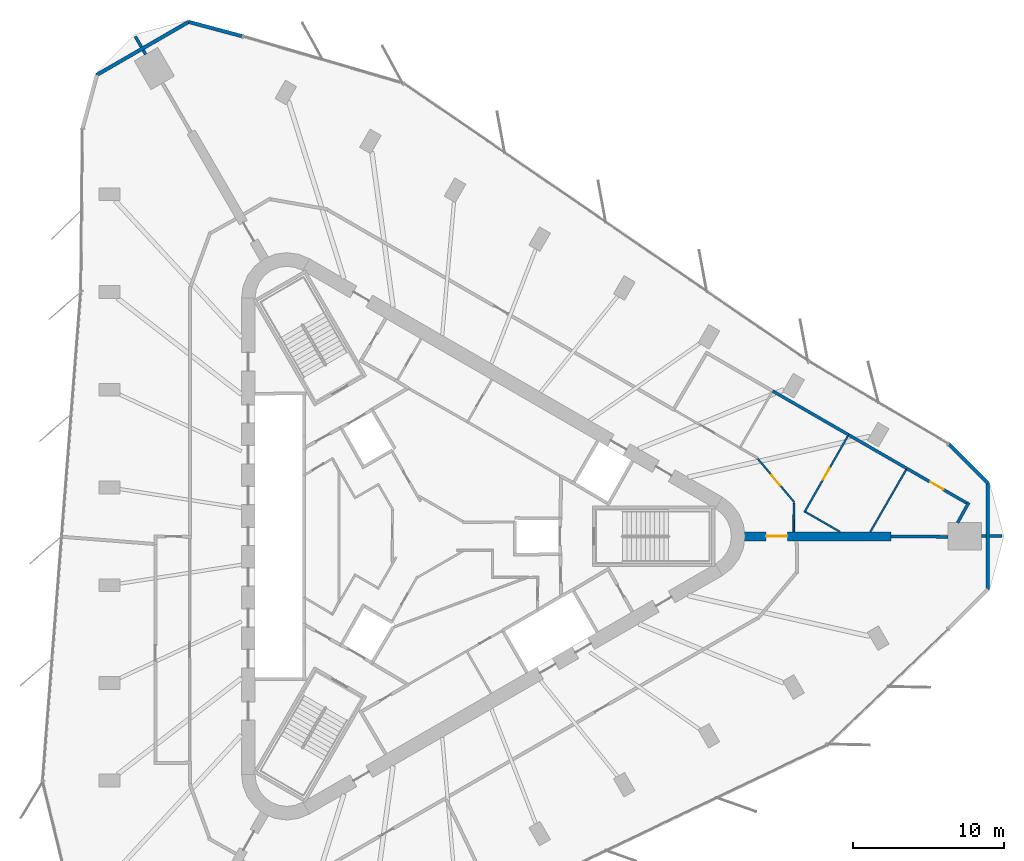
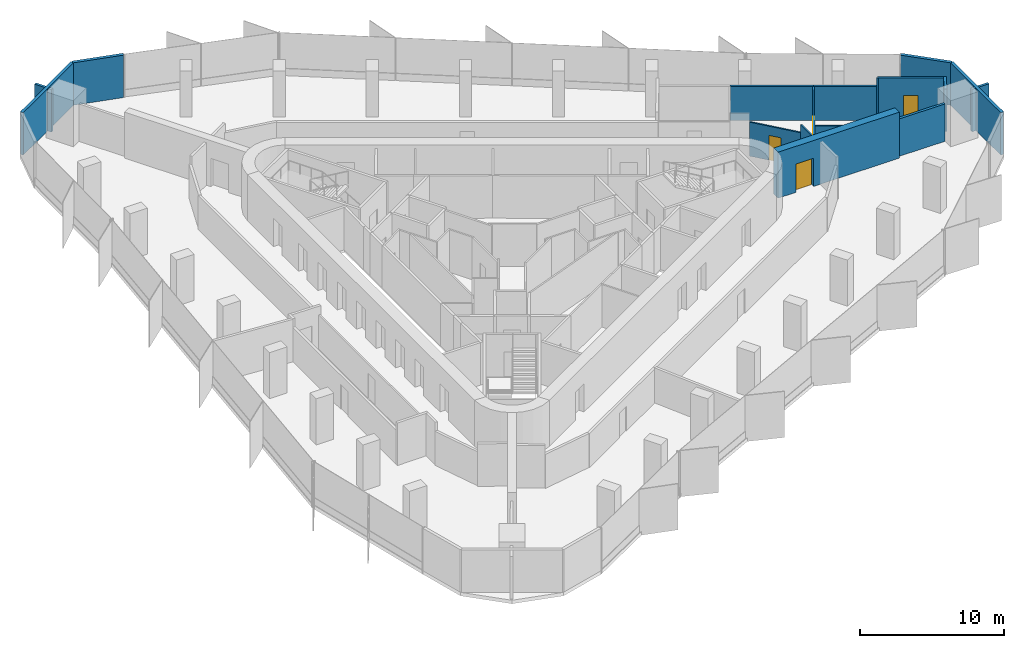
# One storey, part 12 of 14: 19 walls, 4 doors, 4 openings.
"""IFC4 building model written with IfcOpenShell, lengths in metres."""

from ifc_helpers import new_model, si_unit, direction, frame, frame_2d, origin, place, context, subcontext, project, spatial, rectangle, extrude, material, layer, layer_set, type_object, element, fill, save


model = new_model("IFC4")

# Units and contexts
model_context = context("Model", 3, precision=1e-05, world=origin(), true_north=direction((0.0, 1.0)))
body_context = subcontext(model_context, "Body", "Model", "MODEL_VIEW")
ifc_project = project(units=[si_unit("LENGTHUNIT", "METRE"), si_unit("AREAUNIT", "SQUARE_METRE"), si_unit("VOLUMEUNIT", "CUBIC_METRE"), si_unit("PLANEANGLEUNIT", "RADIAN"), si_unit("MASSUNIT", "GRAM", prefix="KILO")], contexts=[model_context])

# Site, building, storey
site_placement = place(None, origin())
site = spatial("IfcSite", under=ifc_project, at=site_placement, CompositionType="ELEMENT")
building_placement = place(site_placement, origin())
building = spatial("IfcBuilding", under=site, at=building_placement, Name="Tanit Gate Tower", CompositionType="ELEMENT")
storey_placement = place(building_placement, frame((0.0, 0.0, 306.5)))
storey = spatial("IfcBuildingStorey", under=building, at=storey_placement, Name="L68", CompositionType="ELEMENT", Elevation=306.5)

# Wall, opening, door
ifc_material_1 = material(Name="Concrete C40/50", Category="concrete")
ifc_layer_1 = layer(ifc_material_1, 0.60009765625)
ifc_layer_set_1 = layer_set([ifc_layer_1], Name="BUTTRESS FIN 600 C40/50")
wall_type_1 = type_object("IfcWallType", Name="BUTTRESS FIN 600 C40/50", PredefinedType="SHEAR", material=ifc_layer_set_1)
wall_1_placement = place(storey_placement, frame((21.14990234375, 0.0, 0.0), z_axis=(0.0, 0.0, 1.0), x_axis=(1.0, 0.0, 0.0)))
wall_1 = element("IfcWall", 1, at=wall_1_placement, inside=storey, type_object=wall_type_1, Name="BUTTRESS FIN", PredefinedType="SHEAR", context=body_context, shape_type="SweptSolid", body=[
    extrude(rectangle(XDim=9.72021484375, YDim=0.60009765625, at=frame_2d((4.860107421875, 0.0))), origin(), (0.0, 0.0, 1.0), 3.89990234375),
])
opening_1_placement = place(wall_1_placement, frame((1.449951171875, 0.0, 0.0)))
opening_1 = element("IfcOpeningElement", 2, at=opening_1_placement, cuts=wall_1, Name="Opening P14-S18-F-E-1", PredefinedType="OPENING", context=body_context, shape_type="SweptSolid", body=[
    extrude(rectangle(XDim=1.39990234375, YDim=2.39990234375, at=frame_2d((0.699951171875, 1.199951171875))), frame((0.0, 0.31005859375, 0.0), z_axis=(0.0, -1.0, 0.0), x_axis=(1.0, 0.0, 0.0)), (0.0, 0.0, 1.0), 0.6201171875),
])
ifc_material_2 = material(Name="Timber door leaf", Category="wood")
door_type_1 = type_object("IfcDoorType", Name="INT-DOOR-FIN-PAIR-1400", OperationType="NOTDEFINED", PredefinedType="NOTDEFINED", material=ifc_material_2)
door_1_placement = place(opening_1_placement, origin())
door_1 = element("IfcDoor", 3, at=door_1_placement, inside=storey, type_object=door_type_1, Name="Door P14-S18-F-E-1", OperationType="DOUBLE_DOOR_SINGLE_SWING", OverallHeight=2.39990234375, OverallWidth=1.39990234375, PredefinedType="NOTDEFINED", context=body_context, shape_type="SweptSolid", body=[
    extrude(rectangle(XDim=1.39990234375, YDim=2.39990234375, at=frame_2d((0.699951171875, 1.199951171875))), frame((0.0, 0.02490234375, 0.0), z_axis=(0.0, -1.0, 0.0), x_axis=(1.0, 0.0, 0.0)), (0.0, 0.0, 1.0), 0.050048828125),
])
fill(opening_1, door_1)

# Walls
ifc_material_3 = material(Name="Concrete C30/37 with bronze anodised aluminium cladding", Category="concrete")
ifc_layer_2 = layer(ifc_material_3, 0.239990234375)
ifc_layer_set_2 = layer_set([ifc_layer_2], Name="Facade wall bronze clad 240")
wall_type_2 = type_object("IfcWallType", Name="Facade wall bronze clad 240", PredefinedType="SOLIDWALL", material=ifc_layer_set_2)
wall_2_placement = place(storey_placement, frame((-12.057373046875, 33.079833984375, 0.0), z_axis=(0.0, 0.0, 1.0), x_axis=(-0.965923355737, 0.258828265153, 0.0)))
element("IfcWall", 4, at=wall_2_placement, inside=storey, type_object=wall_type_2, Name="Bronze-clad facade wall L68 NW.arc1", PredefinedType="SOLIDWALL", context=body_context, shape_type="SweptSolid", body=[
    extrude(rectangle(XDim=3.66259765625, YDim=0.239990234375, at=frame_2d((1.831298828125, 0.0))), origin(), (0.0, 0.0, 1.0), 3.60009765625),
])
for number, where, z_axis, x_axis, name in (
    (5, (-15.59521484375, 34.02783203125, 0.0), (0.0, 0.0, 1.0), (-0.866026812589, -0.499997559872, 0.0), "Bronze-clad facade wall L68 NW.arc2"),
    (6, (37.2666015625, -3.508056640625, 0.0), (0.0, 0.0, 1.0), (0.0, 1.0, 0.0), "Bronze-clad facade wall L68 E.arc2"),
):
    element("IfcWall", number, at=place(storey_placement, frame(where, z_axis=z_axis, x_axis=x_axis)), inside=storey, type_object=wall_type_2, Name=name, PredefinedType="SOLIDWALL", context=body_context, shape_type="SweptSolid", body=[
        extrude(rectangle(XDim=7.01611328125, YDim=0.239990234375, at=frame_2d((3.508056640625, 0.0))), origin(), (0.0, 0.0, 1.0), 3.60009765625),
    ])
wall_3_placement = place(storey_placement, frame((37.2666015625, 3.508056640625, 0.0), z_axis=(0.0, 0.0, 1.0), x_axis=(-0.707106781187, 0.707106781187, 0.0)))
element("IfcWall", 7, at=wall_3_placement, inside=storey, type_object=wall_type_2, Name="Bronze-clad facade wall L68 E.arc3", PredefinedType="SOLIDWALL", context=body_context, shape_type="SweptSolid", body=[
    extrude(rectangle(XDim=3.648681640625, YDim=0.239990234375, at=frame_2d((1.82421875, 0.0))), origin(), (0.0, 0.0, 1.0), 3.60009765625),
])
ifc_material_4 = material(Name="Fire-rated gypsum board partition")
ifc_layer_3 = layer(ifc_material_4, 0.199951171875)
ifc_layer_set_3 = layer_set([ifc_layer_3], Name="INT-WALL-COMPARTMENT")
wall_type_3 = type_object("IfcWallType", Name="INT-WALL-COMPARTMENT", PredefinedType="PARTITIONING", material=ifc_layer_set_3)
wall_4_placement = place(storey_placement, frame((-19.125244140625, 33.06591796875, 0.0), z_axis=(0.0, 0.0, 1.0), x_axis=(0.500052144805, -0.865995295874, 0.0)))
element("IfcWall", 8, at=wall_4_placement, inside=storey, type_object=wall_type_3, Name="Wall Compartment W115", PredefinedType="PARTITIONING", context=body_context, shape_type="SweptSolid", body=[
    extrude(rectangle(XDim=0.81201171875, YDim=0.199951171875, at=frame_2d((0.406005859375, 0.0))), origin(), (0.0, 0.0, 1.0), 3.60009765625),
])
for number, where, z_axis, x_axis, name in (
    (9, (-18.599365234375, 32.15478515625, 0.0), (0.0, 0.0, 1.0), (0.500213193091, -0.865902281703, 0.0), "Wall Compartment W115x1"),
    (10, (36.830810546875, 0.030029296875, 0.0), (0.0, 0.0, 1.0), (1.0, 0.0, 0.0), "Wall Compartment W117"),
):
    element("IfcWall", number, at=place(storey_placement, frame(where, z_axis=z_axis, x_axis=x_axis)), inside=storey, type_object=wall_type_3, Name=name, PredefinedType="PARTITIONING", context=body_context, shape_type="SweptSolid", body=[
        extrude(rectangle(XDim=0.315673828125, YDim=0.199951171875, at=frame_2d((0.15771484375, 0.0))), origin(), (0.0, 0.0, 1.0), 3.60009765625),
    ])
wall_5_placement = place(storey_placement, frame((37.386474609375, 0.030029296875, 0.0), z_axis=(0.0, 0.0, 1.0), x_axis=(1.0, 0.0, 0.0)))
element("IfcWall", 11, at=wall_5_placement, inside=storey, type_object=wall_type_3, Name="Wall Compartment W117x1", PredefinedType="PARTITIONING", context=body_context, shape_type="SweptSolid", body=[
    extrude(rectangle(XDim=0.81201171875, YDim=0.199951171875, at=frame_2d((0.406005859375, 0.0))), origin(), (0.0, 0.0, 1.0), 3.60009765625),
])

# Wall, opening, door
wall_6_placement = place(storey_placement, frame((35.8662109375, 2.201904296875, 0.0), z_axis=(0.0, 0.0, 1.0), x_axis=(-0.866027379035, 0.49999657875, 0.0)))
wall_6 = element("IfcWall", 12, at=wall_6_placement, inside=storey, type_object=wall_type_3, Name="Wall Compartment W123", PredefinedType="PARTITIONING", context=body_context, shape_type="SweptSolid", body=[
    extrude(rectangle(XDim=4.57421875, YDim=0.199951171875, at=frame_2d((2.287109375, 0.0))), origin(), (0.0, 0.0, 1.0), 3.60009765625),
])
opening_2_placement = place(wall_6_placement, frame((1.787109375, 0.0, 0.0)))
opening_2 = element("IfcOpeningElement", 13, at=opening_2_placement, cuts=wall_6, Name="Opening F10-S18-25", PredefinedType="OPENING", context=body_context, shape_type="SweptSolid", body=[
    extrude(rectangle(XDim=1.0, YDim=2.10009765625, at=frame_2d((0.5, 1.050048828125))), frame((0.0, 0.10986328125, 0.0), z_axis=(0.0, -1.0, 0.0), x_axis=(1.0, 0.0, 0.0)), (0.0, 0.0, 1.0), 0.219970703125),
])
ifc_material_5 = material(Name="Fire-rated steel door leaf", Category="steel")
door_type_2 = type_object("IfcDoorType", Name="INT-DOOR-FIRE-1000", OperationType="NOTDEFINED", PredefinedType="USERDEFINED", material=ifc_material_5)
door_2_placement = place(opening_2_placement, origin())
door_2 = element("IfcDoor", 14, at=door_2_placement, inside=storey, type_object=door_type_2, Name="Door F10-S18-25", ObjectType="FIRE DOOR", OperationType="SINGLE_SWING_LEFT", OverallHeight=2.10009765625, OverallWidth=1.0, PredefinedType="USERDEFINED", context=body_context, shape_type="SweptSolid", body=[
    extrude(rectangle(XDim=1.0, YDim=2.10009765625, at=frame_2d((0.5, 1.050048828125))), frame((0.0, 0.02490234375, 0.0), z_axis=(0.0, -1.0, 0.0), x_axis=(1.0, 0.0, 0.0)), (0.0, 0.0, 1.0), 0.050048828125),
])
fill(opening_2, door_2)

# Walls
wall_7_placement = place(storey_placement, frame((31.90478515625, 4.489013671875, 0.0), z_axis=(0.0, 0.0, 1.0), x_axis=(-0.866013897511, 0.50001992892, 0.0)))
element("IfcWall", 15, at=wall_7_placement, inside=storey, type_object=wall_type_3, Name="Wall Compartment W121", PredefinedType="PARTITIONING", context=body_context, shape_type="SweptSolid", body=[
    extrude(rectangle(XDim=4.451904296875, YDim=0.199951171875, at=frame_2d((2.22607421875, 0.0))), origin(), (0.0, 0.0, 1.0), 2.8798828125),
])
wall_8_placement = place(storey_placement, frame((28.04931640625, 6.715087890625, 0.0), z_axis=(0.0, 0.0, 1.0), x_axis=(-0.866036157057, 0.499981374323, 0.0)))
element("IfcWall", 16, at=wall_8_placement, inside=storey, type_object=wall_type_3, Name="Wall Compartment W120", PredefinedType="PARTITIONING", context=body_context, shape_type="SweptSolid", body=[
    extrude(rectangle(XDim=5.795166015625, YDim=0.199951171875, at=frame_2d((2.8974609375, 0.0))), origin(), (0.0, 0.0, 1.0), 2.8798828125),
])
wall_9_placement = place(storey_placement, frame((35.2646484375, 0.89990234375, 0.0), z_axis=(0.0, 0.0, 1.0), x_axis=(0.48169188717, 0.876340644861, 0.0)))
element("IfcWall", 17, at=wall_9_placement, inside=storey, type_object=wall_type_3, Name="Wall Compartment W122", PredefinedType="PARTITIONING", context=body_context, shape_type="SweptSolid", body=[
    extrude(rectangle(XDim=1.528564453125, YDim=0.199951171875, at=frame_2d((0.76416015625, 0.0))), origin(), (0.0, 0.0, 1.0), 3.60009765625),
])
wall_10_placement = place(storey_placement, frame((34.630615234375, -0.030029296875, 0.0), z_axis=(0.0, 0.0, 1.0), x_axis=(-0.999984049016, 0.005648160246, 0.0)))
element("IfcWall", 18, at=wall_10_placement, inside=storey, type_object=wall_type_3, Name="Wall Compartment W125", PredefinedType="PARTITIONING", context=body_context, shape_type="SweptSolid", body=[
    extrude(rectangle(XDim=3.760498046875, YDim=0.199951171875, at=frame_2d((1.88037109375, 0.0))), origin(), (0.0, 0.0, 1.0), 3.169921875),
])

# Wall, opening, door
ifc_material_6 = material(Name="Gypsum board partition")
ifc_layer_4 = layer(ifc_material_6, 0.1201171875)
ifc_layer_set_4 = layer_set([ifc_layer_4], Name="INT-WALL-PARTITION")
wall_type_4 = type_object("IfcWallType", Name="INT-WALL-PARTITION", PredefinedType="PARTITIONING", material=ifc_layer_set_4)
wall_11_placement = place(storey_placement, frame((24.46044921875, 2.25634765625, 0.0), z_axis=(0.0, 0.0, 1.0), x_axis=(-0.642780730877, 0.766050215073, 0.0)))
wall_11 = element("IfcWall", 19, at=wall_11_placement, inside=storey, type_object=wall_type_4, Name="Wall Partition W104", PredefinedType="PARTITIONING", context=body_context, shape_type="SweptSolid", body=[
    extrude(rectangle(XDim=3.786865234375, YDim=0.1201171875, at=frame_2d((1.8935546875, 0.0))), origin(), (0.0, 0.0, 1.0), 2.8798828125),
])
opening_3_placement = place(wall_11_placement, frame((1.45458984375, 0.0, 0.0)))
opening_3 = element("IfcOpeningElement", 20, at=opening_3_placement, cuts=wall_11, Name="Opening D09-S18-23", PredefinedType="OPENING", context=body_context, shape_type="SweptSolid", body=[
    extrude(rectangle(XDim=0.89990234375, YDim=2.10009765625, at=frame_2d((0.449951171875, 1.050048828125))), frame((0.0, 0.070068359375, 0.0), z_axis=(0.0, -1.0, 0.0), x_axis=(1.0, 0.0, 0.0)), (0.0, 0.0, 1.0), 0.14013671875),
])
ifc_material_7 = material(Name="Timber door leaf", Category="wood")
door_type_3 = type_object("IfcDoorType", Name="INT-DOOR-SINGLE-900", OperationType="NOTDEFINED", PredefinedType="NOTDEFINED", material=ifc_material_7)
door_3_placement = place(opening_3_placement, origin())
door_3 = element("IfcDoor", 21, at=door_3_placement, inside=storey, type_object=door_type_3, Name="Door D09-S18-23", OperationType="SINGLE_SWING_LEFT", OverallHeight=2.10009765625, OverallWidth=0.89990234375, PredefinedType="NOTDEFINED", context=body_context, shape_type="SweptSolid", body=[
    extrude(rectangle(XDim=0.89990234375, YDim=2.10009765625, at=frame_2d((0.449951171875, 1.050048828125))), frame((0.0, 0.02490234375, 0.0), z_axis=(0.0, -1.0, 0.0), x_axis=(1.0, 0.0, 0.0)), (0.0, 0.0, 1.0), 0.050048828125),
])
fill(opening_3, door_3)

# Wall
wall_12_placement = place(storey_placement, frame((24.420166015625, 0.300048828125, 0.0), z_axis=(0.0, 0.0, 1.0), x_axis=(0.013233562751, 0.999912432574, 0.0)))
element("IfcWall", 22, at=wall_12_placement, inside=storey, type_object=wall_type_4, Name="Wall Partition W105", PredefinedType="PARTITIONING", context=body_context, shape_type="SweptSolid", body=[
    extrude(rectangle(XDim=1.8818359375, YDim=0.1201171875, at=frame_2d((0.94091796875, 0.0))), origin(), (0.0, 0.0, 1.0), 3.60009765625),
])

# Wall, opening, door
wall_13_placement = place(storey_placement, frame((25.12548828125, 1.59033203125, 0.0), z_axis=(0.0, 0.0, 1.0), x_axis=(0.495554064977, 0.868577094267, 0.0)))
wall_13 = element("IfcWall", 23, at=wall_13_placement, inside=storey, type_object=wall_type_4, Name="Wall Partition W127", PredefinedType="PARTITIONING", context=body_context, shape_type="SweptSolid", body=[
    extrude(rectangle(XDim=5.800048828125, YDim=0.1201171875, at=frame_2d((2.89990234375, 0.0))), origin(), (0.0, 0.0, 1.0), 2.8798828125),
])
opening_4_placement = place(wall_13_placement, frame((2.47998046875, 0.0, 0.0)))
opening_4 = element("IfcOpeningElement", 24, at=opening_4_placement, cuts=wall_13, Name="Opening D09-S18-24", PredefinedType="OPENING", context=body_context, shape_type="SweptSolid", body=[
    extrude(rectangle(XDim=0.89990234375, YDim=2.10009765625, at=frame_2d((0.449951171875, 1.050048828125))), frame((0.0, 0.070068359375, 0.0), z_axis=(0.0, -1.0, 0.0), x_axis=(1.0, 0.0, 0.0)), (0.0, 0.0, 1.0), 0.14013671875),
])
door_4_placement = place(opening_4_placement, origin())
door_4 = element("IfcDoor", 25, at=door_4_placement, inside=storey, type_object=door_type_3, Name="Door D09-S18-24", OperationType="SINGLE_SWING_LEFT", OverallHeight=2.10009765625, OverallWidth=0.89990234375, PredefinedType="NOTDEFINED", context=body_context, shape_type="SweptSolid", body=[
    extrude(rectangle(XDim=0.89990234375, YDim=2.10009765625, at=frame_2d((0.449951171875, 1.050048828125))), frame((0.0, 0.02490234375, 0.0), z_axis=(0.0, -1.0, 0.0), x_axis=(1.0, 0.0, 0.0)), (0.0, 0.0, 1.0), 0.050048828125),
])
fill(opening_4, door_4)

# Walls
wall_14_placement = place(storey_placement, frame((25.207275390625, 1.612548828125, 0.0), z_axis=(0.0, 0.0, 1.0), x_axis=(0.866013657776, -0.500020344131, 0.0)))
element("IfcWall", 26, at=wall_14_placement, inside=storey, type_object=wall_type_4, Name="Wall Partition W128", PredefinedType="PARTITIONING", context=body_context, shape_type="SweptSolid", body=[
    extrude(rectangle(XDim=2.625, YDim=0.1201171875, at=frame_2d((1.3125, 0.0))), origin(), (0.0, 0.0, 1.0), 3.60009765625),
])
wall_15_placement = place(storey_placement, frame((29.49072265625, 0.300048828125, 0.0), z_axis=(0.0, 0.0, 1.0), x_axis=(0.499334051335, 0.86640954818, 0.0)))
element("IfcWall", 27, at=wall_15_placement, inside=storey, type_object=wall_type_4, Name="Wall Partition W129", PredefinedType="PARTITIONING", context=body_context, shape_type="SweptSolid", body=[
    extrude(rectangle(XDim=4.73486328125, YDim=0.1201171875, at=frame_2d((2.367431640625, 0.0))), origin(), (0.0, 0.0, 1.0), 3.60009765625),
])

save(model, "model.ifc")
